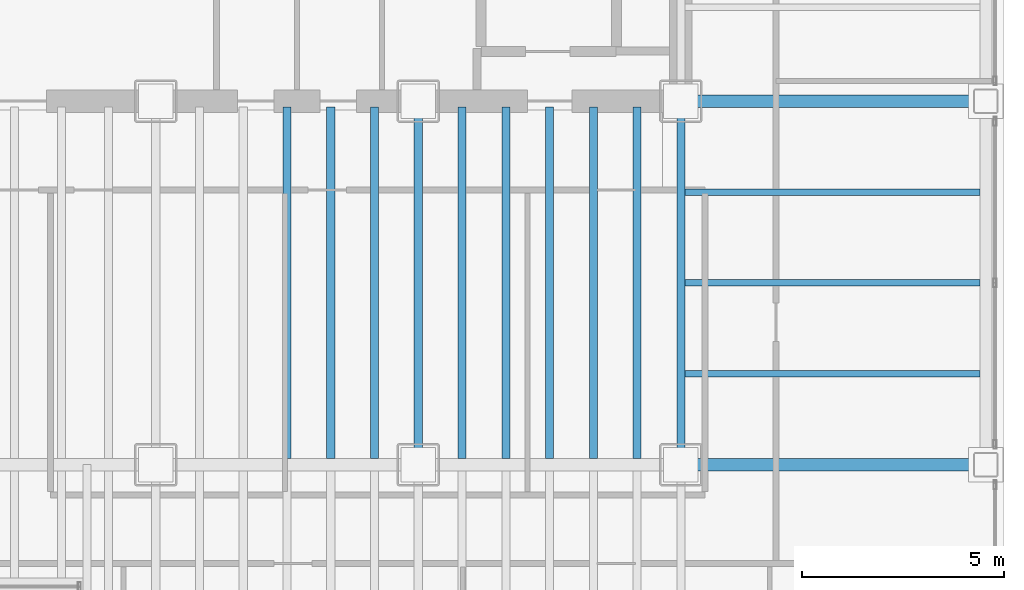
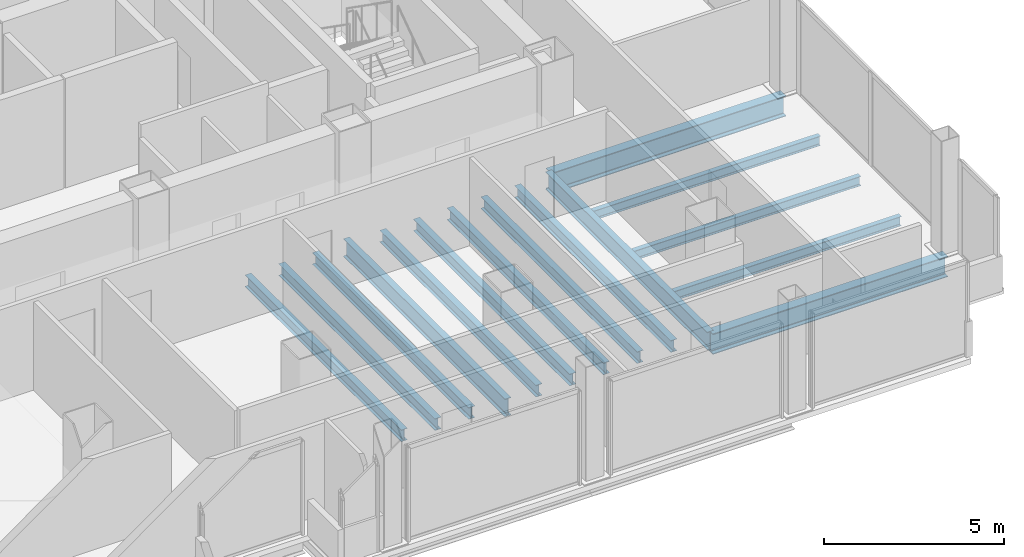
# One storey, part 10 of 21: 15 beams.
"""IFC4 building model written with IfcOpenShell, lengths in metres."""

import ifcopenshell
import ifcopenshell.guid

model = None  # the IFC model being written
_history = None  # IfcOwnerHistory: only IFC2X3 demands one
_inside = {}  # id of a spatial element -> (the spatial element, [elements in it])
_under = {}  # id of a project, library or spatial element -> (it, [spatial elements below it])
_declared = {}  # id of a project -> (the project, [libraries it declares])
_typed = {}  # id of a type object -> (the type object, [elements of that type])
_made_of = {}  # id of a material, layer set ... -> (it, [elements and type objects made of it])


def new_model(schema):
    """Start an empty IFC model of exactly this schema.

    Asked for "IFC4X3", IfcOpenShell would pick the latest addendum, in which some entities
    have other attributes; the version numbers below select the first issue.
    IFC2X3 requires an IfcOwnerHistory on every rooted entity: one is made here for all.
    """
    global model, _history
    if schema == "IFC4X3":
        model = ifcopenshell.file(schema_version=(4, 3, 0, 0))
    else:
        model = ifcopenshell.file(schema=schema)
    _inside.clear()
    _under.clear()
    _declared.clear()
    _typed.clear()
    _made_of.clear()
    _history = None
    if model.schema == "IFC2X3":
        org = make("IfcOrganization", Name="unknown")
        user = make(
            "IfcPersonAndOrganization",
            ThePerson=make("IfcPerson", FamilyName="unknown"),
            TheOrganization=org,
        )
        app = make(
            "IfcApplication",
            ApplicationDeveloper=org,
            Version="unknown",
            ApplicationFullName="unknown",
            ApplicationIdentifier="unknown",
        )
        _history = make(
            "IfcOwnerHistory",
            OwningUser=user,
            OwningApplication=app,
            ChangeAction="ADDED",
            CreationDate=0,
        )
    return model


def make(cls, **values):
    """One entity of the class cls with the attributes given. An attribute that is None is left unset."""
    return model.create_entity(
        cls, **{name: value for name, value in values.items() if value is not None}
    )


def rooted(cls, **values):
    """An entity with a GlobalId (a new one), such as an element, a storey or a relation."""
    return make(cls, GlobalId=ifcopenshell.guid.new(), OwnerHistory=_history, **values)


def si_unit(unit_type, name, prefix=None):
    """IfcSIUnit, for example si_unit("LENGTHUNIT", "METRE", prefix="MILLI")."""
    return make("IfcSIUnit", UnitType=unit_type, Prefix=prefix, Name=name)


def assignment(units):
    """IfcUnitAssignment: the units of a project."""
    return None if units is None else make("IfcUnitAssignment", Units=units)


def point(xyz):
    """IfcCartesianPoint."""
    return None if xyz is None else make("IfcCartesianPoint", Coordinates=xyz)


def direction(xyz):
    """IfcDirection."""
    return None if xyz is None else make("IfcDirection", DirectionRatios=xyz)


def frame(location, z_axis=None, x_axis=None):
    """IfcAxis2Placement3D, a coordinate frame: its origin and axes. An axis left out is left unset."""
    return make(
        "IfcAxis2Placement3D",
        Location=point(location),
        Axis=direction(z_axis),
        RefDirection=direction(x_axis),
    )


def frame_2d(location, x_axis=None):
    """IfcAxis2Placement2D, a coordinate frame in the plane: its origin and x axis."""
    return make(
        "IfcAxis2Placement2D", Location=point(location), RefDirection=direction(x_axis)
    )


def origin():
    """The frame at (0, 0, 0) with its axes left unset."""
    return frame((0.0, 0.0, 0.0))


def origin_2d():
    """The frame at (0, 0) in the plane with its x axis left unset."""
    return frame_2d((0.0, 0.0))


def place(relative_to, where):
    """IfcLocalPlacement: puts the frame where relative to a parent placement (None: the world)."""
    return make(
        "IfcLocalPlacement", PlacementRelTo=relative_to, RelativePlacement=where
    )


def context(
    kind, dimensions, precision=None, world=None, true_north=None, identifier=None
):
    """IfcGeometricRepresentationContext, for example the 3D "Model" context."""
    return make(
        "IfcGeometricRepresentationContext",
        ContextIdentifier=identifier,
        ContextType=kind,
        CoordinateSpaceDimension=dimensions,
        Precision=precision,
        WorldCoordinateSystem=world,
        TrueNorth=true_north,
    )


def subcontext(parent, identifier, kind, view, scale=None):
    """IfcGeometricRepresentationSubContext, for example "Body" below "Model"."""
    return make(
        "IfcGeometricRepresentationSubContext",
        ContextIdentifier=identifier,
        ContextType=kind,
        ParentContext=parent,
        TargetScale=scale,
        TargetView=view,
    )


def project(units=None, contexts=None):
    """IfcProject with its units and contexts."""
    return rooted(
        "IfcProject",
        Name="project",
        RepresentationContexts=contexts,
        UnitsInContext=assignment(units),
    )


def spatial(cls, under=None, at=None, **own):
    """A site, building, storey or space (cls), placed at a placement, below another one or the project."""
    s = rooted(cls, ObjectPlacement=at, **own)
    if under is not None:
        _under.setdefault(under.id(), (under, []))[1].append(s)
    return s


def profile(cls, at=None, kind="AREA", **sizes):
    """A parametric profile (cls). Its sizes go by their IFC names, for example OverallWidth=200.0."""
    return make(cls, ProfileType=kind, Position=at, **sizes)


def i_section(**sizes):
    """IfcIShapeProfileDef."""
    return profile("IfcIShapeProfileDef", **sizes)


def extrude(swept, where, along, depth):
    """IfcExtrudedAreaSolid: the profile swept, set in the frame where, extruded along a direction by depth."""
    return make(
        "IfcExtrudedAreaSolid",
        SweptArea=swept,
        Position=where,
        ExtrudedDirection=direction(along),
        Depth=depth,
    )


def shape(context_of_items, identifier, shape_type, items):
    """IfcShapeRepresentation: the items that make up one representation, for example the "Body"."""
    return make(
        "IfcShapeRepresentation",
        ContextOfItems=context_of_items,
        RepresentationIdentifier=identifier,
        RepresentationType=shape_type,
        Items=items,
    )


def material(Name=None, Category=None):
    """IfcMaterial."""
    return make("IfcMaterial", Name=Name, Category=Category)


def material_profile(
    of_material, cross_section, Name=None, Category=None, Priority=None
):
    """IfcMaterialProfile: a cross section and its material."""
    return make(
        "IfcMaterialProfile",
        Name=Name,
        Material=of_material,
        Profile=cross_section,
        Priority=Priority,
        Category=Category,
    )


def profile_set(profiles, Name=None, composite=None):
    """IfcMaterialProfileSet."""
    return make(
        "IfcMaterialProfileSet",
        Name=Name,
        MaterialProfiles=profiles,
        CompositeProfile=composite,
    )


def made_of(thing, what):
    """Note that an element or type object is made of a material, layer set ...; save() writes the relation."""
    if what is not None:
        _made_of.setdefault(what.id(), (what, []))[1].append(thing)
    return thing


def type_object(cls, material=None, **own):
    """A type object (cls), such as IfcWallType, which elements share."""
    return made_of(rooted(cls, **own), material)


def element(
    cls,
    number,
    at=None,
    inside=None,
    cuts=None,
    type_object=None,
    material=None,
    context=None,
    identifier="Body",
    shape_type=None,
    held_by="IfcProductDefinitionShape",
    body=None,
    shapes=None,
    **own,
):
    """One element of the class cls, such as IfcWall. Its Tag is "e" and its number.

    at: its placement. inside: the storey or other place that contains it. cuts: it is an
    opening in that element (IfcRelVoidsElement). A single representation is given by context,
    identifier, shape_type and body (its items); several are given by shapes. held_by: the class
    of the entity that holds the representations. save() writes the other relations.
    """
    e = rooted(cls, Tag="e%d" % number, ObjectPlacement=at, **own)
    if body is not None:
        shapes = [shape(context, identifier, shape_type, body)]
    if shapes is not None:
        e.Representation = make(held_by, Representations=shapes)
    if inside is not None:
        _inside.setdefault(inside.id(), (inside, []))[1].append(e)
    if cuts is not None:
        rooted(
            "IfcRelVoidsElement", RelatingBuildingElement=cuts, RelatedOpeningElement=e
        )
    if type_object is not None:
        _typed.setdefault(type_object.id(), (type_object, []))[1].append(e)
    return made_of(e, material)


def aggregate(whole, parts):
    """IfcRelAggregates: a whole, such as a stair, and the parts it consists of."""
    return rooted("IfcRelAggregates", RelatingObject=whole, RelatedObjects=parts)


def save(model, path):
    """Write the relations noted so far, then the file.

    IfcRelAggregates (storeys below a building ...), IfcRelContainedInSpatialStructure (elements
    in a storey), IfcRelDefinesByType, IfcRelAssociatesMaterial and IfcRelDeclares: one each for
    every whole, place, type object, material and project.
    """
    for whole, parts in _under.values():
        aggregate(whole, parts)
    for where, things in _inside.values():
        rooted(
            "IfcRelContainedInSpatialStructure",
            RelatedElements=things,
            RelatingStructure=where,
        )
    for kind, things in _typed.values():
        rooted("IfcRelDefinesByType", RelatedObjects=things, RelatingType=kind)
    for what, things in _made_of.values():
        rooted("IfcRelAssociatesMaterial", RelatedObjects=things, RelatingMaterial=what)
    for by, libraries in _declared.values():
        rooted("IfcRelDeclares", RelatingContext=by, RelatedDefinitions=libraries)
    model.write(path)


model = new_model("IFC4")

# Units and contexts
model_context = context("Model", 3, precision=1e-05, world=origin(), true_north=direction((0.0, 1.0)))
body_context = subcontext(model_context, "Body", "Model", "MODEL_VIEW")
ifc_project = project(units=[si_unit("LENGTHUNIT", "METRE"), si_unit("AREAUNIT", "SQUARE_METRE"), si_unit("VOLUMEUNIT", "CUBIC_METRE"), si_unit("PLANEANGLEUNIT", "RADIAN"), si_unit("MASSUNIT", "GRAM", prefix="KILO")], contexts=[model_context])

# Site, building, storey
site_placement = place(None, origin())
site = spatial("IfcSite", under=ifc_project, at=site_placement, CompositionType="ELEMENT")
building_placement = place(site_placement, origin())
building = spatial("IfcBuilding", under=site, at=building_placement, Name="Noeulbin Bourse Tower", CompositionType="ELEMENT")
storey_placement = place(building_placement, frame((0.0, 0.0, 34.300048828125)))
storey = spatial("IfcBuildingStorey", under=building, at=storey_placement, Name="L08", CompositionType="ELEMENT", Elevation=34.300048828125)

# Beams
ifc_material = material(Name="Steel S355", Category="steel")
ifc_material_profile_1 = material_profile(ifc_material, i_section(OverallWidth=0.199951171875, OverallDepth=0.60009765625, WebThickness=0.010986328125, FlangeThickness=0.01708984375, FilletRadius=0.02197265625, at=origin_2d()), Name="H-600x200x11x17", Category="LoadBearing")
ifc_profile_set_1 = profile_set([ifc_material_profile_1], Name="Steel S355")
beam_type_1 = type_object("IfcBeamType", Name="BM-GRD-600", PredefinedType="USERDEFINED", material=ifc_profile_set_1)
for number, where, z_axis, x_axis, name in (
    (1, (37.5, 20.0, -0.47998046875), (0.0, 1.0, 0.0), (-1.0, 0.0, 0.0), "Tower Primary Girder NS L08-4.2"),
    (2, (44.0, 20.0, -0.47998046875), (0.0, 1.0, 0.0), (-1.0, 0.0, 0.0), "Tower Primary Girder NS L08-5.2"),
):
    element("IfcBeam", number, at=place(storey_placement, frame(where, z_axis=z_axis, x_axis=x_axis)), inside=storey, type_object=beam_type_1, Name=name, ObjectType="GIRDER", PredefinedType="USERDEFINED", context=body_context, shape_type="SweptSolid", body=[
        extrude(i_section(OverallWidth=0.199951171875, OverallDepth=0.60009765625, WebThickness=0.010986328125, FlangeThickness=0.01708984375, FilletRadius=0.02197265625, at=origin_2d()), origin(), (0.0, 0.0, 1.0), 9.0),
    ])
ifc_material_profile_2 = material_profile(ifc_material, i_section(OverallWidth=0.300048828125, OverallDepth=0.699951171875, WebThickness=0.012939453125, FlangeThickness=0.02392578125, FilletRadius=0.02392578125, at=origin_2d()), Name="H-700x300x13x24", Category="LoadBearing")
ifc_profile_set_2 = profile_set([ifc_material_profile_2], Name="Steel S355")
beam_type_2 = type_object("IfcBeamType", Name="BM-GRD-700", PredefinedType="USERDEFINED", material=ifc_profile_set_2)
for number, where, z_axis, x_axis, name in (
    (3, (44.0, 20.0, -0.530029296875), (1.0, 0.0, 0.0), (0.0, 1.0, 0.0), "Tower Primary Girder EW L08-1.6"),
    (4, (44.0, 29.0, -0.530029296875), (1.0, 0.0, 0.0), (0.0, 1.0, 0.0), "Tower Primary Girder EW L08-2.6"),
):
    element("IfcBeam", number, at=place(storey_placement, frame(where, z_axis=z_axis, x_axis=x_axis)), inside=storey, type_object=beam_type_2, Name=name, ObjectType="GIRDER", PredefinedType="USERDEFINED", context=body_context, shape_type="SweptSolid", body=[
        extrude(i_section(OverallWidth=0.300048828125, OverallDepth=0.699951171875, WebThickness=0.012939453125, FlangeThickness=0.02392578125, FilletRadius=0.02392578125, at=origin_2d()), origin(), (0.0, 0.0, 1.0), 7.550048828125),
    ])
ifc_material_profile_3 = material_profile(ifc_material, i_section(OverallWidth=0.159912109375, OverallDepth=0.320068359375, WebThickness=0.006591796875, FlangeThickness=0.010009765625, FilletRadius=0.012939453125, at=origin_2d()), Name="H-320x160x6.5x10", Category="LoadBearing")
ifc_profile_set_3 = profile_set([ifc_material_profile_3], Name="Steel S355")
beam_type_3 = type_object("IfcBeamType", Name="BM-JST-320", PredefinedType="JOIST", material=ifc_profile_set_3)
for number, where, z_axis, x_axis, name in (
    (5, (44.10009765625, 22.25, -0.340087890625), (1.0, 0.0, 0.0), (0.0, 1.0, 0.0), "Wing Composite Joist L08-E75"),
    (6, (44.10009765625, 24.5, -0.340087890625), (1.0, 0.0, 0.0), (0.0, 1.0, 0.0), "Wing Composite Joist L08-E76"),
    (7, (44.10009765625, 26.75, -0.340087890625), (1.0, 0.0, 0.0), (0.0, 1.0, 0.0), "Wing Composite Joist L08-E77"),
):
    element("IfcBeam", number, at=place(storey_placement, frame(where, z_axis=z_axis, x_axis=x_axis)), inside=storey, type_object=beam_type_3, Name=name, PredefinedType="JOIST", context=body_context, shape_type="SweptSolid", body=[
        extrude(i_section(OverallWidth=0.159912109375, OverallDepth=0.320068359375, WebThickness=0.006591796875, FlangeThickness=0.010009765625, FilletRadius=0.012939453125, at=origin_2d()), origin(), (0.0, 0.0, 1.0), 7.2998046875),
    ])
ifc_material_profile_4 = material_profile(ifc_material, i_section(OverallWidth=0.199951171875, OverallDepth=0.39990234375, WebThickness=0.008056640625, FlangeThickness=0.012939453125, FilletRadius=0.01611328125, at=origin_2d()), Name="H-400x200x8x13", Category="LoadBearing")
ifc_profile_set_4 = profile_set([ifc_material_profile_4], Name="Steel S355")
beam_type_4 = type_object("IfcBeamType", Name="BM-SEC-400", PredefinedType="BEAM", material=ifc_profile_set_4)
for number, where, z_axis, x_axis, name in (
    (8, (34.25, 20.14990234375, -0.380126953125), (0.0, 1.0, 0.0), (-1.0, 0.0, 0.0), "Tower Composite Joist L08-46"),
    (9, (35.333251953125, 20.14990234375, -0.380126953125), (0.0, 1.0, 0.0), (-1.0, 0.0, 0.0), "Tower Composite Joist L08-49"),
    (10, (36.416748046875, 20.14990234375, -0.380126953125), (0.0, 1.0, 0.0), (-1.0, 0.0, 0.0), "Tower Composite Joist L08-52"),
    (11, (38.583251953125, 20.14990234375, -0.380126953125), (0.0, 1.0, 0.0), (-1.0, 0.0, 0.0), "Tower Composite Joist L08-55"),
    (12, (39.666748046875, 20.14990234375, -0.380126953125), (0.0, 1.0, 0.0), (-1.0, 0.0, 0.0), "Tower Composite Joist L08-58"),
    (13, (40.75, 20.14990234375, -0.380126953125), (0.0, 1.0, 0.0), (-1.0, 0.0, 0.0), "Tower Composite Joist L08-61"),
    (14, (41.833251953125, 20.14990234375, -0.380126953125), (0.0, 1.0, 0.0), (-1.0, 0.0, 0.0), "Tower Composite Joist L08-64"),
    (15, (42.916748046875, 20.14990234375, -0.380126953125), (0.0, 1.0, 0.0), (-1.0, 0.0, 0.0), "Tower Composite Joist L08-67"),
):
    element("IfcBeam", number, at=place(storey_placement, frame(where, z_axis=z_axis, x_axis=x_axis)), inside=storey, type_object=beam_type_4, Name=name, PredefinedType="BEAM", context=body_context, shape_type="SweptSolid", body=[
        extrude(i_section(OverallWidth=0.199951171875, OverallDepth=0.39990234375, WebThickness=0.008056640625, FlangeThickness=0.012939453125, FilletRadius=0.01611328125, at=origin_2d()), origin(), (0.0, 0.0, 1.0), 8.7001953125),
    ])

save(model, "model.ifc")
